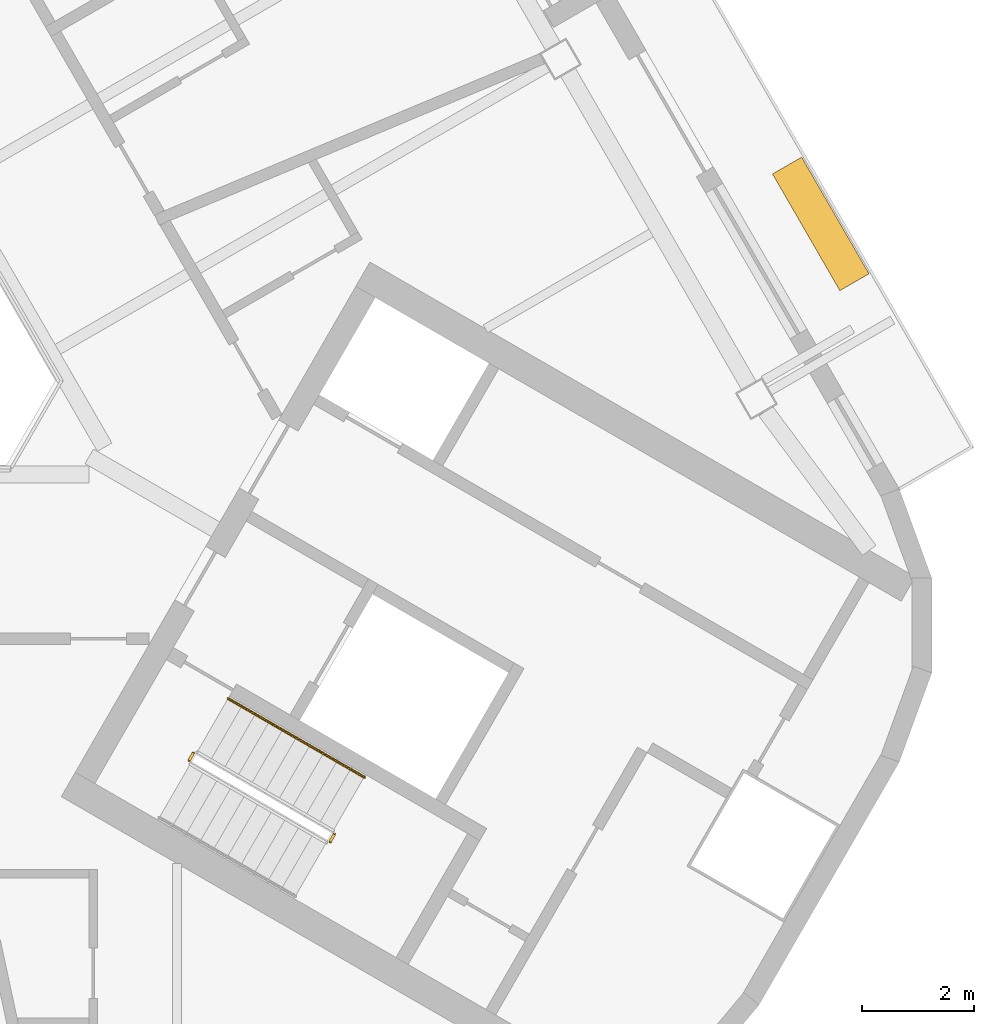
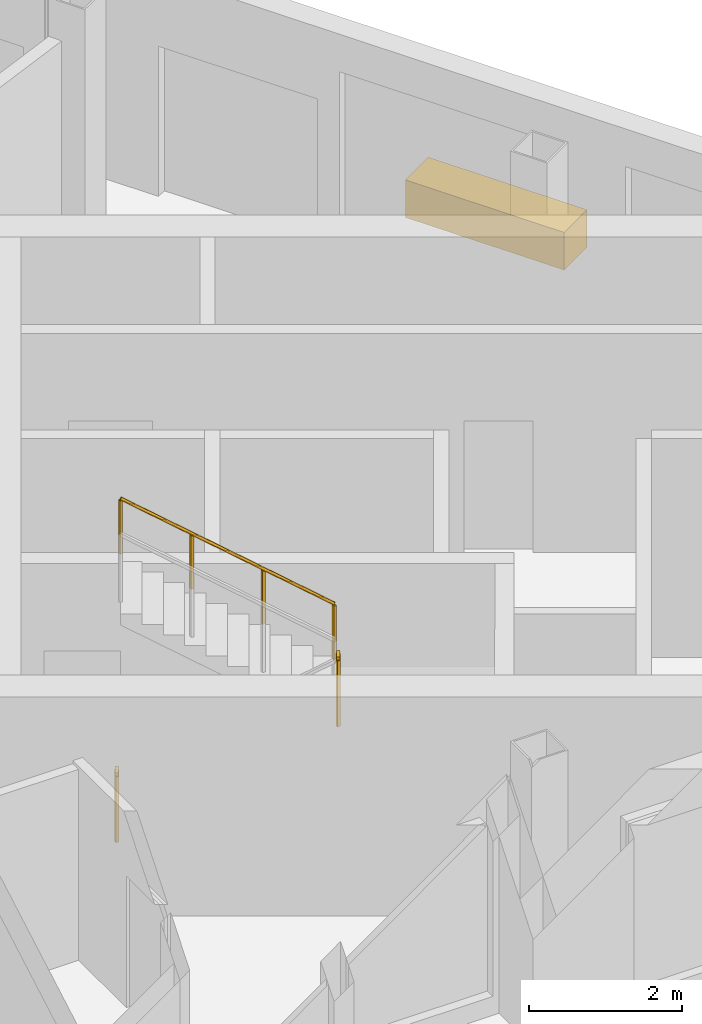
# One storey, part 10 of 12: 3 railings, 1 covering.
"""IFC4 building model written with IfcOpenShell, lengths in metres."""

from ifc_helpers import new_model, si_unit, direction, frame, origin, origin_2d, place, context, subcontext, project, spatial, rectangle, circle, extrude, material, type_object, element, save


model = new_model("IFC4")

# Units and contexts
model_context = context("Model", 3, precision=1e-05, world=origin(), true_north=direction((0.0, 1.0)))
body_context = subcontext(model_context, "Body", "Model", "MODEL_VIEW")
ifc_project = project(units=[si_unit("LENGTHUNIT", "METRE"), si_unit("AREAUNIT", "SQUARE_METRE"), si_unit("VOLUMEUNIT", "CUBIC_METRE"), si_unit("PLANEANGLEUNIT", "RADIAN"), si_unit("MASSUNIT", "GRAM", prefix="KILO")], contexts=[model_context])

# Site, building, storey
site_placement = place(None, origin())
site = spatial("IfcSite", under=ifc_project, at=site_placement, CompositionType="ELEMENT")
building_placement = place(site_placement, origin())
building = spatial("IfcBuilding", under=site, at=building_placement, Name="Apuvela Tower Hotel", CompositionType="ELEMENT")
storey_placement = place(building_placement, frame((0.0, 0.0, 294.800048828125)))
storey = spatial("IfcBuildingStorey", under=building, at=storey_placement, Name="L73", CompositionType="ELEMENT", Elevation=294.800048828125)

# Railings
ifc_material_1 = material(Name="Steel S275 balustrade", Category="steel")
railing_type_1 = type_object("IfcRailingType", Name="COR-GUARD-1100", PredefinedType="GUARDRAIL", material=ifc_material_1)
for number, where, name in (
    (1, (13.212158203125, -12.015869140625, 1.849853515625), "L73 ST3 stair guard 2"),
    (2, (10.70068359375, -10.56591796875, 0.0), "L73 ST3 stair guard 4"),
):
    element("IfcRailing", number, at=place(storey_placement, frame(where)), inside=storey, type_object=railing_type_1, Name=name, PredefinedType="GUARDRAIL", context=body_context, shape_type="SweptSolid", body=[
        extrude(rectangle(XDim=0.048095703125, YDim=0.048095703125, at=origin_2d()), frame((0.0, 0.0, 1.076171875), z_axis=(0.499816412211, 0.866131372301, 0.0), x_axis=(-0.866131372301, 0.499816412211, 0.0)), (0.0, 0.0, 1.0), 0.14990234375),
        extrude(rectangle(XDim=0.0419921875, YDim=0.0419921875, at=origin_2d()), origin(), (0.0, 0.0, 1.0), 1.052001953125),
        extrude(rectangle(XDim=0.0419921875, YDim=0.0419921875, at=origin_2d()), frame((0.074951171875, 0.1298828125, 0.0)), (0.0, 0.0, 1.0), 1.052001953125),
    ])
ifc_material_2 = material(Name="Stainless steel 316 handrail", Category="steel")
railing_type_2 = type_object("IfcRailingType", Name="COR-HANDRAIL-900", PredefinedType="HANDRAIL", material=ifc_material_2)
railing_placement = place(storey_placement, frame((13.81884765625, -10.864990234375, 2.01806640625)))
element("IfcRailing", 3, at=railing_placement, inside=storey, type_object=railing_type_2, Name="L73 ST3 stair handrail 2", PredefinedType="HANDRAIL", context=body_context, shape_type="SweptSolid", body=[
    extrude(circle(Radius=0.02392578125, at=origin_2d()), frame((0.0, 0.0, 0.8759765625), z_axis=(-0.742390482028, 0.42860119049, 0.514934356695), x_axis=(-0.49998411664, -0.866034573852, 0.0)), (0.0, 0.0, 1.0), 3.26611328125),
    extrude(rectangle(XDim=0.0419921875, YDim=0.0419921875, at=origin_2d()), origin(), (0.0, 0.0, 1.0), 0.851806640625),
    extrude(rectangle(XDim=0.0419921875, YDim=0.0419921875, at=origin_2d()), frame((-0.808349609375, 0.466552734375, 0.560546875)), (0.0, 0.0, 1.0), 0.851806640625),
    extrude(rectangle(XDim=0.0419921875, YDim=0.0419921875, at=origin_2d()), frame((-1.616455078125, 0.933349609375, 1.121337890625)), (0.0, 0.0, 1.0), 0.851806640625),
    extrude(rectangle(XDim=0.0419921875, YDim=0.0419921875, at=origin_2d()), frame((-2.4248046875, 1.39990234375, 1.681884765625)), (0.0, 0.0, 1.0), 0.851806640625),
])

# Covering
ifc_material_3 = material(Name="Planting substrate and soil, planted")
covering_type = type_object("IfcCoveringType", Name="ENV-PLANTER-2400x600", PredefinedType="USERDEFINED", material=ifc_material_3)
covering_placement = place(storey_placement, frame((21.956298828125, -1.006103515625, 0.0), z_axis=(0.0, 0.0, 1.0), x_axis=(-0.5, 0.866025403784, 0.0)))
element("IfcCovering", 4, at=covering_placement, inside=storey, type_object=covering_type, Name="Planter NE3", ObjectType="PLANTER", PredefinedType="USERDEFINED", context=body_context, shape_type="SweptSolid", body=[
    extrude(rectangle(XDim=2.39990234375, YDim=0.60009765625, at=origin_2d()), origin(), (0.0, 0.0, 1.0), 0.60009765625),
])

save(model, "model.ifc")
